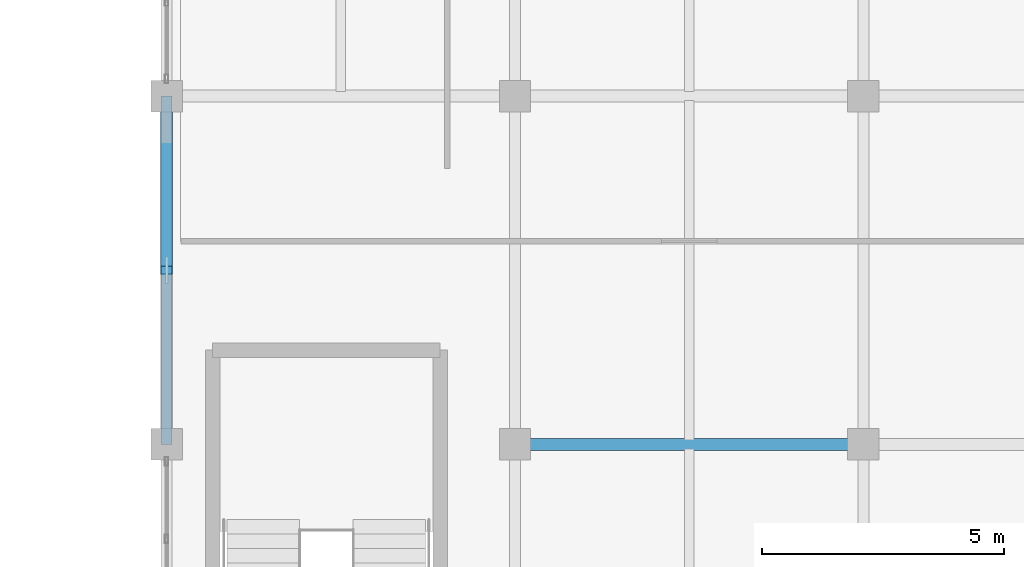
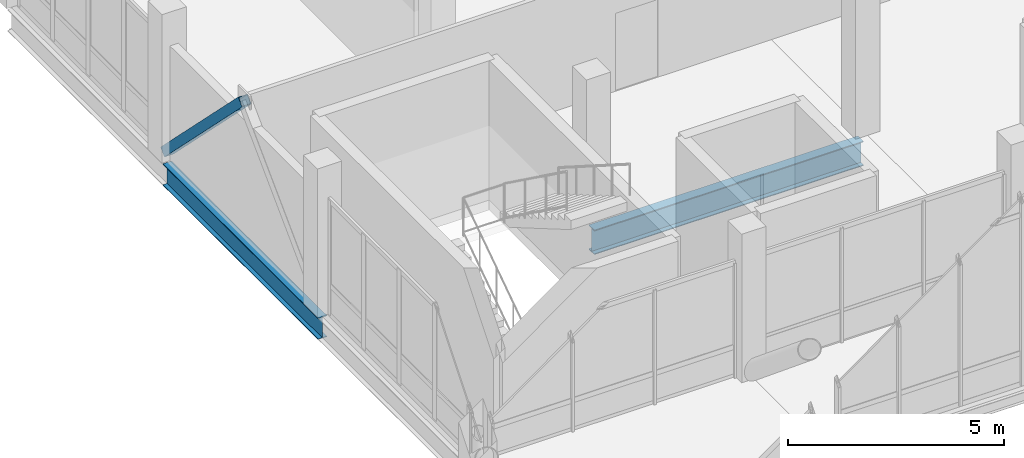
# One storey, part 48 of 102: 2 beams, 1 member.
"""IFC4 building model written with IfcOpenShell, lengths in metres."""

from ifc_helpers import new_model, si_unit, direction, frame, origin, origin_2d, place, context, subcontext, project, spatial, hollow_rectangle, i_section, extrude, material, material_profile, profile_set, type_object, element, save


model = new_model("IFC4")

# Units and contexts
model_context = context("Model", 3, precision=1e-05, world=origin(), true_north=direction((0.0, 1.0)))
body_context = subcontext(model_context, "Body", "Model", "MODEL_VIEW")
ifc_project = project(units=[si_unit("LENGTHUNIT", "METRE"), si_unit("AREAUNIT", "SQUARE_METRE"), si_unit("VOLUMEUNIT", "CUBIC_METRE"), si_unit("PLANEANGLEUNIT", "RADIAN"), si_unit("MASSUNIT", "GRAM", prefix="KILO")], contexts=[model_context])

# Site, building, storey
site_placement = place(None, origin())
site = spatial("IfcSite", under=ifc_project, at=site_placement, CompositionType="ELEMENT")
building_placement = place(site_placement, origin())
building = spatial("IfcBuilding", under=site, at=building_placement, Name="Yarey Park Central Fire Station", CompositionType="ELEMENT")
storey_placement = place(building_placement, frame((0.0, 0.0, 6.0)))
storey = spatial("IfcBuildingStorey", under=building, at=storey_placement, Name="L02", CompositionType="ELEMENT", Elevation=6.0)

# Beams
ifc_material_1 = material(Name="Steel ASTM A992 Gr. 50", Category="steel")
ifc_material_profile_1 = material_profile(ifc_material_1, i_section(OverallWidth=0.22900390625, OverallDepth=0.612060546875, WebThickness=0.011962890625, FlangeThickness=0.01953125, at=origin_2d()), Name="W610x125")
ifc_profile_set_1 = profile_set([ifc_material_profile_1], Name="Steel ASTM A992 Gr. 50")
beam_type_1 = type_object("IfcBeamType", Name="STR_BM_W610", PredefinedType="BEAM", material=ifc_profile_set_1)
beam_1_placement = place(storey_placement, frame((115.199951171875, 100.800048828125, -0.591064453125), z_axis=(0.0, 1.0, 0.0), x_axis=(-1.0, 0.0, 0.0)))
element("IfcBeam", 1, at=beam_1_placement, inside=storey, type_object=beam_type_1, Name="BMY L02 X1152 Y1008", PredefinedType="BEAM", context=body_context, shape_type="SweptSolid", body=[
    extrude(i_section(OverallWidth=0.22900390625, OverallDepth=0.612060546875, WebThickness=0.011962890625, FlangeThickness=0.01953125, at=origin_2d()), origin(), (0.0, 0.0, 1.0), 7.199951171875),
])
ifc_material_profile_2 = material_profile(ifc_material_1, i_section(OverallWidth=0.256103515625, OverallDepth=0.693115234375, WebThickness=0.014404296875, FlangeThickness=0.023681640625, at=origin_2d()), Name="W690x170")
ifc_profile_set_2 = profile_set([ifc_material_profile_2], Name="Steel ASTM A992 Gr. 50")
beam_type_2 = type_object("IfcBeamType", Name="STR_BM_W690", PredefinedType="BEAM", material=ifc_profile_set_2)
beam_2_placement = place(storey_placement, frame((122.39990234375, 100.800048828125, -0.631591796875), z_axis=(1.0, 0.0, 0.0), x_axis=(0.0, 1.0, 0.0)))
element("IfcBeam", 2, at=beam_2_placement, inside=storey, type_object=beam_type_2, Name="BMX L02 Y1008 X1224", PredefinedType="BEAM", context=body_context, shape_type="SweptSolid", body=[
    extrude(i_section(OverallWidth=0.256103515625, OverallDepth=0.693115234375, WebThickness=0.014404296875, FlangeThickness=0.023681640625, at=origin_2d()), origin(), (0.0, 0.0, 1.0), 7.2001953125),
])

# Member
ifc_material_2 = material(Name="Steel ASTM A500 Gr. C", Category="steel")
ifc_material_profile_3 = material_profile(ifc_material_2, hollow_rectangle(XDim=0.25, YDim=0.25, WallThickness=0.012451171875, at=origin_2d()), Name="HSS 250x250x12.5")
ifc_profile_set_3 = profile_set([ifc_material_profile_3], Name="Steel ASTM A500 Gr. C")
member_type = type_object("IfcMemberType", Name="STR_CBF_HSS250", PredefinedType="BRACE", material=ifc_profile_set_3)
member_placement = place(storey_placement, frame((115.199951171875, 108.0, 0.050048828125), z_axis=(0.0, -0.707130757816, 0.707082803744), x_axis=(1.0, 0.0, 0.0)))
element("IfcMember", 3, at=member_placement, inside=storey, type_object=member_type, Name="CBF_V4_W2_L02", PredefinedType="BRACE", context=body_context, shape_type="SweptSolid", body=[
    extrude(hollow_rectangle(XDim=0.25, YDim=0.25, WallThickness=0.012451171875, at=origin_2d()), origin(), (0.0, 0.0, 1.0), 5.091064453125),
])

save(model, "model.ifc")
